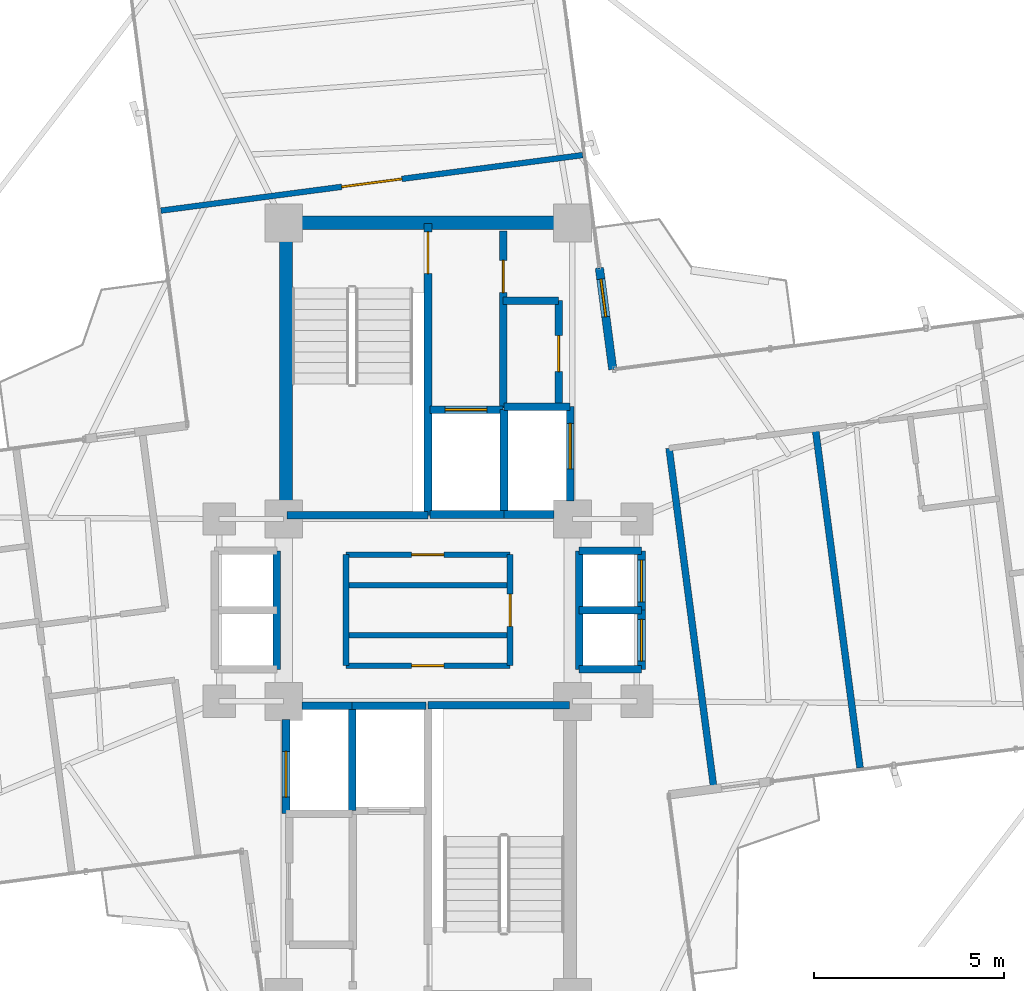
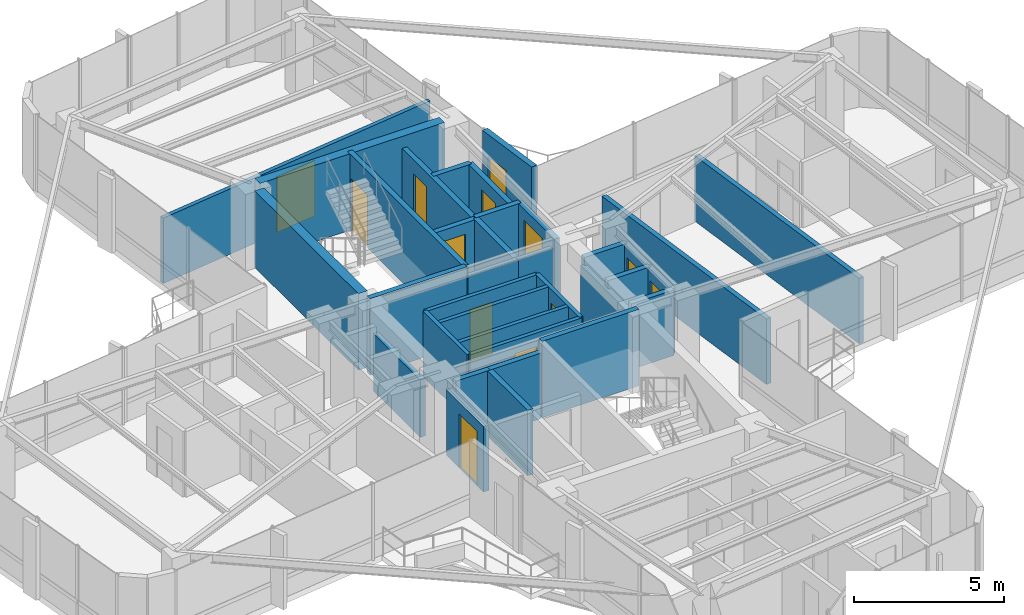
# One storey, part 19 of 21: 35 walls, 13 doors, 13 openings.
"""IFC4 building model written with IfcOpenShell, lengths in metres."""

from ifc_helpers import new_model, si_unit, direction, frame, frame_2d, origin, origin_2d, place, context, subcontext, project, spatial, rectangle, extrude, source, transform, mapped, material, layer, layer_set, type_object, element, fill, save


model = new_model("IFC4")

# Units and contexts
model_context = context("Model", 3, precision=1e-05, world=origin(), true_north=direction((0.0, 1.0)))
body_context = subcontext(model_context, "Body", "Model", "MODEL_VIEW")
ifc_project = project(units=[si_unit("LENGTHUNIT", "METRE"), si_unit("AREAUNIT", "SQUARE_METRE"), si_unit("VOLUMEUNIT", "CUBIC_METRE"), si_unit("PLANEANGLEUNIT", "RADIAN"), si_unit("MASSUNIT", "GRAM", prefix="KILO")], contexts=[model_context])

# Site, building, storey
site_placement = place(None, origin())
site = spatial("IfcSite", under=ifc_project, at=site_placement, CompositionType="ELEMENT")
building_placement = place(site_placement, origin())
building = spatial("IfcBuilding", under=site, at=building_placement, Name="Sahyath Konkavel Grand Hotel", CompositionType="ELEMENT")
storey_placement = place(building_placement, frame((0.0, 0.0, 216.550048828125)))
storey = spatial("IfcBuildingStorey", under=building, at=storey_placement, Name="L60", CompositionType="ELEMENT", Elevation=216.550048828125)

# Walls
ifc_material_1 = material(Name="Concrete C40/50", Category="concrete")
ifc_layer_1 = layer(ifc_material_1, 0.35009765625)
ifc_layer_set_1 = layer_set([ifc_layer_1], Name="Concrete C40/50")
wall_type_1 = type_object("IfcWallType", Name="CWALL-350", PredefinedType="SHEAR", material=ifc_layer_set_1)
wall_1_placement = place(storey_placement, frame((-3.550048828125, 10.199951171875, 0.0), z_axis=(0.0, 0.0, 1.0), x_axis=(1.0, 0.0, 0.0)))
element("IfcWall", 1, at=wall_1_placement, inside=storey, type_object=wall_type_1, Name="L60 North Core Shear Wall N", PredefinedType="SHEAR", context=body_context, shape_type="SweptSolid", body=[
    extrude(rectangle(XDim=7.10009765625, YDim=0.35009765625, at=frame_2d((3.550048828125, 0.0))), origin(), (0.0, 0.0, 1.0), 3.10986328125),
])
wall_2_placement = place(storey_placement, frame((-3.739990234375, 2.85009765625, 0.0), z_axis=(0.0, 0.0, 1.0), x_axis=(0.0, 1.0, 0.0)))
element("IfcWall", 2, at=wall_2_placement, inside=storey, type_object=wall_type_1, Name="L60 North Core Shear Wall W", PredefinedType="SHEAR", context=body_context, shape_type="SweptSolid", body=[
    extrude(rectangle(XDim=6.89990234375, YDim=0.35009765625, at=frame_2d((3.449951171875, 0.0))), origin(), (0.0, 0.0, 1.0), 3.10986328125),
])

# Wall, opening, door
ifc_material_2 = material(Name="Warm Buff Sandstone Insulated Concrete C40/50", Category="masonry")
ifc_layer_2 = layer(ifc_material_2, 0.219970703125)
ifc_layer_set_2 = layer_set([ifc_layer_2], Name="Warm Buff Sandstone Insulated Concrete C40/50")
wall_type_2 = type_object("IfcWallType", Name="WLL-BALC-THRESH", PredefinedType="STANDARD", material=ifc_layer_set_2)
wall_3_placement = place(storey_placement, frame((4.8642578125, 6.339111328125, 0.0), z_axis=(0.0, 0.0, 1.0), x_axis=(-0.130564442062, 0.991439824936, 0.0)))
wall_3 = element("IfcWall", 3, at=wall_3_placement, inside=storey, type_object=wall_type_2, Name="L60 Winter-Garden Threshold Wall 8", PredefinedType="STANDARD", context=body_context, shape_type="SweptSolid", body=[
    extrude(rectangle(XDim=2.7001953125, YDim=0.219970703125, at=frame_2d((1.35009765625, 0.0))), origin(), (0.0, 0.0, 1.0), 3.10986328125),
])
opening_1_placement = place(wall_3_placement, frame((1.39990234375, 0.0, 0.0)))
opening_1 = element("IfcOpeningElement", 4, at=opening_1_placement, cuts=wall_3, Name="Opening D-TR1", PredefinedType="OPENING", context=body_context, shape_type="SweptSolid", body=[
    extrude(rectangle(XDim=1.0, YDim=2.199951171875, at=frame_2d((0.5, 1.10009765625))), frame((0.0, 0.1201171875, 0.0), z_axis=(0.0, -1.0, 0.0), x_axis=(1.0, 0.0, 0.0)), (0.0, 0.0, 1.0), 0.239990234375),
])
ifc_material_3 = material(Name="Anodised Bronze Aluminium & Low-E Glazing", Category="aluminium")
door_type_1 = type_object("IfcDoorType", Name="DR-TERRACE-1000", OperationType="NOTDEFINED", PredefinedType="DOOR", material=ifc_material_3)
shared_shape_1 = source(origin(), body_context, "Body", "SweptSolid", [
    extrude(rectangle(XDim=1.0, YDim=0.050048828125, at=origin_2d()), origin(), (0.0, 0.0, 1.0), 2.199951171875),
])
door_1_placement = place(opening_1_placement, frame((0.5, 0.0, 0.0)))
door_1 = element("IfcDoor", 5, at=door_1_placement, inside=storey, type_object=door_type_1, Name="L60 Winter-Garden Terrace Door 8", OperationType="SINGLE_SWING_LEFT", OverallHeight=2.199951171875, OverallWidth=1.0, PredefinedType="DOOR", context=body_context, shape_type="MappedRepresentation", body=[
    mapped(shared_shape_1, transform((0.0, 0.0, 0.0), scale=1.0)),
])
fill(opening_1, door_1)

ifc_layer_3 = layer(ifc_material_1, 0.199951171875)
ifc_layer_set_3 = layer_set([ifc_layer_3], Name="Concrete C40/50")
wall_type_3 = type_object("IfcWallType", Name="WLL-CORE-200", PredefinedType="SOLIDWALL", material=ifc_layer_set_3)
wall_4_placement = place(storey_placement, frame((0.0, 2.5, 0.0), z_axis=(0.0, 0.0, 1.0), x_axis=(0.0, 1.0, 0.0)))
wall_4 = element("IfcWall", 6, at=wall_4_placement, inside=storey, type_object=wall_type_3, Name="L60 Stair ST-1 Shaft Wall E", PredefinedType="SOLIDWALL", context=body_context, shape_type="SweptSolid", body=[
    extrude(rectangle(XDim=7.679931640625, YDim=0.199951171875, at=frame_2d((3.83984375, 0.0))), origin(), (0.0, 0.0, 1.0), 3.10986328125),
])
opening_2_placement = place(wall_4_placement, frame((6.360107421875, 0.0, 0.0)))
opening_2 = element("IfcOpeningElement", 7, at=opening_2_placement, cuts=wall_4, Name="Opening D-F12B", PredefinedType="OPENING", context=body_context, shape_type="SweptSolid", body=[
    extrude(rectangle(XDim=1.10009765625, YDim=2.14990234375, at=frame_2d((0.550048828125, 1.074951171875))), frame((0.0, 0.10986328125, 0.0), z_axis=(0.0, -1.0, 0.0), x_axis=(1.0, 0.0, 0.0)), (0.0, 0.0, 1.0), 0.219970703125),
])
ifc_material_4 = material(Name="Steel E350 Smokeproof Fire Door", Category="steel")
door_type_2 = type_object("IfcDoorType", Name="DR-FD120-1100", OperationType="NOTDEFINED", PredefinedType="DOOR", material=ifc_material_4)
shared_shape_2 = source(origin(), body_context, "Body", "SweptSolid", [
    extrude(rectangle(XDim=1.10009765625, YDim=0.050048828125, at=origin_2d()), origin(), (0.0, 0.0, 1.0), 2.14990234375),
])
door_2_placement = place(opening_2_placement, frame((0.550048828125, 0.0, 0.0)))
door_2 = element("IfcDoor", 8, at=door_2_placement, inside=storey, type_object=door_type_2, Name="L60 Stair ST-1 Fire Door", OperationType="SINGLE_SWING_RIGHT", OverallHeight=2.14990234375, OverallWidth=1.10009765625, PredefinedType="DOOR", context=body_context, shape_type="MappedRepresentation", body=[
    mapped(shared_shape_2, transform((0.0, 0.0, 0.0), scale=1.0)),
])
fill(opening_2, door_2)

# Walls
for number, where, z_axis, x_axis, name in (
    (9, (-3.719970703125, 2.5, 0.0), (0.0, 0.0, 1.0), (1.0, 0.0, 0.0), "L60 Stair ST-1 Shaft Wall S"),
    (10, (0.0, -2.5, 0.0), (0.0, 0.0, 1.0), (1.0, 0.0, 0.0), "L60 Stair ST-2 Shaft Wall N"),
):
    element("IfcWall", number, at=place(storey_placement, frame(where, z_axis=z_axis, x_axis=x_axis)), inside=storey, type_object=wall_type_3, Name=name, PredefinedType="SOLIDWALL", context=body_context, shape_type="SweptSolid", body=[
        extrude(rectangle(XDim=3.719970703125, YDim=0.199951171875, at=frame_2d((1.85986328125, 0.0))), origin(), (0.0, 0.0, 1.0), 3.10986328125),
    ])

# Wall, opening, door
wall_5_placement = place(storey_placement, frame((1.97998046875, 5.320068359375, 0.0), z_axis=(0.0, 0.0, 1.0), x_axis=(0.0, 1.0, 0.0)))
wall_5 = element("IfcWall", 11, at=wall_5_placement, inside=storey, type_object=wall_type_3, Name="L60 North Firefighting Lobby Wall E", PredefinedType="SOLIDWALL", context=body_context, shape_type="SweptSolid", body=[
    extrude(rectangle(XDim=4.659912109375, YDim=0.199951171875, at=frame_2d((2.330078125, 0.0))), origin(), (0.0, 0.0, 1.0), 2.659912109375),
])
opening_3_placement = place(wall_5_placement, frame((3.0400390625, 0.0, 0.0)))
opening_3 = element("IfcOpeningElement", 12, at=opening_3_placement, cuts=wall_5, Name="Opening D-F12D", PredefinedType="OPENING", context=body_context, shape_type="SweptSolid", body=[
    extrude(rectangle(XDim=0.85009765625, YDim=2.10009765625, at=frame_2d((0.425048828125, 1.050048828125))), frame((0.0, 0.10986328125, 0.0), z_axis=(0.0, -1.0, 0.0), x_axis=(1.0, 0.0, 0.0)), (0.0, 0.0, 1.0), 0.219970703125),
])
ifc_material_5 = material(Name="Steel E350 Core Fire Door", Category="steel")
door_type_3 = type_object("IfcDoorType", Name="DR-FD120-850", OperationType="NOTDEFINED", PredefinedType="DOOR", material=ifc_material_5)
shared_shape_3 = source(origin(), body_context, "Body", "SweptSolid", [
    extrude(rectangle(XDim=0.85009765625, YDim=0.050048828125, at=origin_2d()), origin(), (0.0, 0.0, 1.0), 2.10009765625),
])
door_3_placement = place(opening_3_placement, frame((0.425048828125, 0.0, 0.0)))
door_3 = element("IfcDoor", 13, at=door_3_placement, inside=storey, type_object=door_type_3, Name="L60 North Firefighting Lobby Door", OperationType="SINGLE_SWING_RIGHT", OverallHeight=2.10009765625, OverallWidth=0.85009765625, PredefinedType="DOOR", context=body_context, shape_type="MappedRepresentation", body=[
    mapped(shared_shape_3, transform((0.0, 0.0, 0.0), scale=1.0)),
])
fill(opening_3, door_3)

# Walls
wall_6_placement = place(storey_placement, frame((2.0, 2.5, 0.0), z_axis=(0.0, 0.0, 1.0), x_axis=(0.0, 1.0, 0.0)))
element("IfcWall", 14, at=wall_6_placement, inside=storey, type_object=wall_type_3, Name="L60 Partition SH-FFL1-E", PredefinedType="SOLIDWALL", context=body_context, shape_type="SweptSolid", body=[
    extrude(rectangle(XDim=2.780029296875, YDim=0.199951171875, at=frame_2d((1.39013671875, 0.0))), origin(), (0.0, 0.0, 1.0), 2.659912109375),
])
wall_7_placement = place(storey_placement, frame((0.050048828125, 2.52001953125, 0.0), z_axis=(0.0, 0.0, 1.0), x_axis=(1.0, 0.0, 0.0)))
element("IfcWall", 15, at=wall_7_placement, inside=storey, type_object=wall_type_3, Name="L60 Partition SH-FFL1-S", PredefinedType="SOLIDWALL", context=body_context, shape_type="SweptSolid", body=[
    extrude(rectangle(XDim=1.949951171875, YDim=0.199951171875, at=frame_2d((0.97509765625, 0.0))), origin(), (0.0, 0.0, 1.0), 2.659912109375),
])

# Wall, opening, door
wall_8_placement = place(storey_placement, frame((0.050048828125, 5.280029296875, 0.0), z_axis=(0.0, 0.0, 1.0), x_axis=(1.0, 0.0, 0.0)))
wall_8 = element("IfcWall", 16, at=wall_8_placement, inside=storey, type_object=wall_type_3, Name="L60 Partition SH-FFL1-N", PredefinedType="SOLIDWALL", context=body_context, shape_type="SweptSolid", body=[
    extrude(rectangle(XDim=1.929931640625, YDim=0.199951171875, at=frame_2d((0.96484375, 0.0))), origin(), (0.0, 0.0, 1.0), 2.659912109375),
])
opening_4_placement = place(wall_8_placement, frame((0.39990234375, 0.0, 0.0)))
opening_4 = element("IfcOpeningElement", 17, at=opening_4_placement, cuts=wall_8, Name="Opening LD-11", PredefinedType="OPENING", context=body_context, shape_type="SweptSolid", body=[
    extrude(rectangle(XDim=1.10009765625, YDim=2.199951171875, at=frame_2d((0.550048828125, 1.10009765625))), frame((0.0, 0.10986328125, 0.0), z_axis=(0.0, -1.0, 0.0), x_axis=(1.0, 0.0, 0.0)), (0.0, 0.0, 1.0), 0.219970703125),
])
ifc_material_6 = material(Name="Bronze Lift Landing Door 1100")
door_type_4 = type_object("IfcDoorType", Name="DR-LIFT-1100", OperationType="DOUBLE_DOOR_SLIDING", PredefinedType="DOOR", material=ifc_material_6)
shared_shape_4 = source(origin(), body_context, "Body", "SweptSolid", [
    extrude(rectangle(XDim=1.10009765625, YDim=0.050048828125, at=origin_2d()), origin(), (0.0, 0.0, 1.0), 2.199951171875),
])
door_4_placement = place(opening_4_placement, frame((0.550048828125, 0.0, 0.0)))
door_4 = element("IfcDoor", 18, at=door_4_placement, inside=storey, type_object=door_type_4, Name="L60 Lift FFL-1 Landing Door", OperationType="DOUBLE_DOOR_SLIDING", OverallHeight=2.199951171875, OverallWidth=1.10009765625, PredefinedType="DOOR", context=body_context, shape_type="MappedRepresentation", body=[
    mapped(shared_shape_4, transform((0.0, 0.0, 0.0), scale=1.0)),
])
fill(opening_4, door_4)

# Walls
wall_9_placement = place(storey_placement, frame((-2.0, -5.280029296875, 0.0), z_axis=(0.0, 0.0, 1.0), x_axis=(0.0, 1.0, 0.0)))
element("IfcWall", 19, at=wall_9_placement, inside=storey, type_object=wall_type_3, Name="L60 Partition SH-FFL2-W", PredefinedType="SOLIDWALL", context=body_context, shape_type="SweptSolid", body=[
    extrude(rectangle(XDim=2.780029296875, YDim=0.199951171875, at=frame_2d((1.39013671875, 0.0))), origin(), (0.0, 0.0, 1.0), 2.659912109375),
])
wall_10_placement = place(storey_placement, frame((-2.0, -2.52001953125, 0.0), z_axis=(0.0, 0.0, 1.0), x_axis=(1.0, 0.0, 0.0)))
element("IfcWall", 20, at=wall_10_placement, inside=storey, type_object=wall_type_3, Name="L60 Partition SH-FFL2-N", PredefinedType="SOLIDWALL", context=body_context, shape_type="SweptSolid", body=[
    extrude(rectangle(XDim=1.949951171875, YDim=0.199951171875, at=frame_2d((0.97509765625, 0.0))), origin(), (0.0, 0.0, 1.0), 2.659912109375),
])
wall_11_placement = place(storey_placement, frame((2.0, 2.52001953125, 0.0), z_axis=(0.0, 0.0, 1.0), x_axis=(1.0, 0.0, 0.0)))
element("IfcWall", 21, at=wall_11_placement, inside=storey, type_object=wall_type_3, Name="L60 Partition SH-SVL1-S", PredefinedType="SOLIDWALL", context=body_context, shape_type="SweptSolid", body=[
    extrude(rectangle(XDim=1.320068359375, YDim=0.199951171875, at=frame_2d((0.66015625, 0.0))), origin(), (0.0, 0.0, 1.0), 2.659912109375),
])
wall_12_placement = place(storey_placement, frame((2.0, 5.360107421875, 0.0), z_axis=(0.0, 0.0, 1.0), x_axis=(1.0, 0.0, 0.0)))
element("IfcWall", 22, at=wall_12_placement, inside=storey, type_object=wall_type_3, Name="L60 Partition SH-SVL1-N", PredefinedType="SOLIDWALL", context=body_context, shape_type="SweptSolid", body=[
    extrude(rectangle(XDim=1.739990234375, YDim=0.199951171875, at=frame_2d((0.8701171875, 0.0))), origin(), (0.0, 0.0, 1.0), 2.659912109375),
])

# Wall, opening, door
wall_13_placement = place(storey_placement, frame((3.739990234375, 2.8798828125, 0.0), z_axis=(0.0, 0.0, 1.0), x_axis=(0.0, 1.0, 0.0)))
wall_13 = element("IfcWall", 23, at=wall_13_placement, inside=storey, type_object=wall_type_3, Name="L60 Partition SH-SVL1-E", PredefinedType="SOLIDWALL", context=body_context, shape_type="SweptSolid", body=[
    extrude(rectangle(XDim=2.480224609375, YDim=0.199951171875, at=frame_2d((1.240234375, 0.0))), origin(), (0.0, 0.0, 1.0), 2.659912109375),
])
opening_5_placement = place(wall_13_placement, frame((0.840087890625, 0.0, 0.0)))
opening_5 = element("IfcOpeningElement", 24, at=opening_5_placement, cuts=wall_13, Name="Opening LD-12", PredefinedType="OPENING", context=body_context, shape_type="SweptSolid", body=[
    extrude(rectangle(XDim=1.199951171875, YDim=2.199951171875, at=frame_2d((0.60009765625, 1.10009765625))), frame((0.0, 0.10986328125, 0.0), z_axis=(0.0, -1.0, 0.0), x_axis=(1.0, 0.0, 0.0)), (0.0, 0.0, 1.0), 0.219970703125),
])
ifc_material_7 = material(Name="Stainless Steel Lift Landing Door 1200", Category="steel")
door_type_5 = type_object("IfcDoorType", Name="DR-LIFT-1200", OperationType="DOUBLE_DOOR_SLIDING", PredefinedType="DOOR", material=ifc_material_7)
shared_shape_5 = source(origin(), body_context, "Body", "SweptSolid", [
    extrude(rectangle(XDim=1.199951171875, YDim=0.050048828125, at=origin_2d()), origin(), (0.0, 0.0, 1.0), 2.199951171875),
])
door_5_placement = place(opening_5_placement, frame((0.60009765625, 0.0, 0.0)))
door_5 = element("IfcDoor", 25, at=door_5_placement, inside=storey, type_object=door_type_5, Name="L60 Service Lift SVL-1 Landing Door", OperationType="DOUBLE_DOOR_SLIDING", OverallHeight=2.199951171875, OverallWidth=1.199951171875, PredefinedType="DOOR", context=body_context, shape_type="MappedRepresentation", body=[
    mapped(shared_shape_5, transform((0.0, 0.0, 0.0), scale=1.0)),
])
fill(opening_5, door_5)

# Wall
wall_14_placement = place(storey_placement, frame((-3.320068359375, -2.52001953125, 0.0), z_axis=(0.0, 0.0, 1.0), x_axis=(1.0, 0.0, 0.0)))
element("IfcWall", 26, at=wall_14_placement, inside=storey, type_object=wall_type_3, Name="L60 Partition SH-SVL2-N", PredefinedType="SOLIDWALL", context=body_context, shape_type="SweptSolid", body=[
    extrude(rectangle(XDim=1.320068359375, YDim=0.199951171875, at=frame_2d((0.66015625, 0.0))), origin(), (0.0, 0.0, 1.0), 2.659912109375),
])

# Wall, opening, door
wall_15_placement = place(storey_placement, frame((-3.739990234375, -5.360107421875, 0.0), z_axis=(0.0, 0.0, 1.0), x_axis=(0.0, 1.0, 0.0)))
wall_15 = element("IfcWall", 27, at=wall_15_placement, inside=storey, type_object=wall_type_3, Name="L60 Partition SH-SVL2-W", PredefinedType="SOLIDWALL", context=body_context, shape_type="SweptSolid", body=[
    extrude(rectangle(XDim=2.480224609375, YDim=0.199951171875, at=frame_2d((1.240234375, 0.0))), origin(), (0.0, 0.0, 1.0), 2.659912109375),
])
opening_6_placement = place(wall_15_placement, frame((0.43994140625, 0.0, 0.0)))
opening_6 = element("IfcOpeningElement", 28, at=opening_6_placement, cuts=wall_15, Name="Opening LD-12", PredefinedType="OPENING", context=body_context, shape_type="SweptSolid", body=[
    extrude(rectangle(XDim=1.199951171875, YDim=2.199951171875, at=frame_2d((0.60009765625, 1.10009765625))), frame((0.0, 0.10986328125, 0.0), z_axis=(0.0, -1.0, 0.0), x_axis=(1.0, 0.0, 0.0)), (0.0, 0.0, 1.0), 0.219970703125),
])
door_6_placement = place(opening_6_placement, frame((0.60009765625, 0.0, 0.0)))
door_6 = element("IfcDoor", 29, at=door_6_placement, inside=storey, type_object=door_type_5, Name="L60 Service Lift SVL-2 Landing Door", OperationType="DOUBLE_DOOR_SLIDING", OverallHeight=2.199951171875, OverallWidth=1.199951171875, PredefinedType="DOOR", context=body_context, shape_type="MappedRepresentation", body=[
    mapped(shared_shape_5, transform((0.0, 0.0, 0.0), scale=1.0)),
])
fill(opening_6, door_6)

# Walls
wall_16_placement = place(storey_placement, frame((3.97998046875, -1.56005859375, 0.0), z_axis=(0.0, 0.0, 1.0), x_axis=(0.0, 1.0, 0.0)))
element("IfcWall", 30, at=wall_16_placement, inside=storey, type_object=wall_type_3, Name="L60 Partition SH-PL56-W", PredefinedType="SOLIDWALL", context=body_context, shape_type="SweptSolid", body=[
    extrude(rectangle(XDim=3.1201171875, YDim=0.199951171875, at=frame_2d((1.56005859375, 0.0))), origin(), (0.0, 0.0, 1.0), 2.329833984375),
])
for number, where, z_axis, x_axis, name in (
    (31, (3.97998046875, 1.56005859375, 0.0), (0.0, 0.0, 1.0), (1.0, 0.0, 0.0), "L60 Partition SH-PL56-N"),
    (32, (3.97998046875, -1.56005859375, 0.0), (0.0, 0.0, 1.0), (1.0, 0.0, 0.0), "L60 Partition SH-PL56-S"),
    (33, (3.97998046875, 0.0, 0.0), (0.0, 0.0, 1.0), (1.0, 0.0, 0.0), "L60 Partition SH-PL56-M"),
):
    element("IfcWall", number, at=place(storey_placement, frame(where, z_axis=z_axis, x_axis=x_axis)), inside=storey, type_object=wall_type_3, Name=name, PredefinedType="SOLIDWALL", context=body_context, shape_type="SweptSolid", body=[
        extrude(rectangle(XDim=1.64013671875, YDim=0.199951171875, at=frame_2d((0.820068359375, 0.0))), origin(), (0.0, 0.0, 1.0), 2.659912109375),
    ])

# Wall, opening, door
wall_17_placement = place(storey_placement, frame((5.6201171875, 0.0, 0.0), z_axis=(0.0, 0.0, 1.0), x_axis=(0.0, 1.0, 0.0)))
wall_17 = element("IfcWall", 34, at=wall_17_placement, inside=storey, type_object=wall_type_3, Name="L60 Partition SH-PL5-E", PredefinedType="SOLIDWALL", context=body_context, shape_type="SweptSolid", body=[
    extrude(rectangle(XDim=1.56005859375, YDim=0.199951171875, at=frame_2d((0.780029296875, 0.0))), origin(), (0.0, 0.0, 1.0), 2.659912109375),
])
opening_7_placement = place(wall_17_placement, frame((0.219970703125, 0.0, 0.0)))
opening_7 = element("IfcOpeningElement", 35, at=opening_7_placement, cuts=wall_17, Name="Opening LD-11", PredefinedType="OPENING", context=body_context, shape_type="SweptSolid", body=[
    extrude(rectangle(XDim=1.10009765625, YDim=2.199951171875, at=frame_2d((0.550048828125, 1.10009765625))), frame((0.0, 0.10986328125, 0.0), z_axis=(0.0, -1.0, 0.0), x_axis=(1.0, 0.0, 0.0)), (0.0, 0.0, 1.0), 0.219970703125),
])
door_7_placement = place(opening_7_placement, frame((0.550048828125, 0.0, 0.0)))
door_7 = element("IfcDoor", 36, at=door_7_placement, inside=storey, type_object=door_type_4, Name="L60 High-Rise Lift PL-5 Landing Door", OperationType="DOUBLE_DOOR_SLIDING", OverallHeight=2.199951171875, OverallWidth=1.10009765625, PredefinedType="DOOR", context=body_context, shape_type="MappedRepresentation", body=[
    mapped(shared_shape_4, transform((0.0, 0.0, 0.0), scale=1.0)),
])
fill(opening_7, door_7)

wall_18_placement = place(storey_placement, frame((5.6201171875, -1.56005859375, 0.0), z_axis=(0.0, 0.0, 1.0), x_axis=(0.0, 1.0, 0.0)))
wall_18 = element("IfcWall", 37, at=wall_18_placement, inside=storey, type_object=wall_type_3, Name="L60 Partition SH-PL6-E", PredefinedType="SOLIDWALL", context=body_context, shape_type="SweptSolid", body=[
    extrude(rectangle(XDim=1.56005859375, YDim=0.199951171875, at=frame_2d((0.780029296875, 0.0))), origin(), (0.0, 0.0, 1.0), 2.659912109375),
])
opening_8_placement = place(wall_18_placement, frame((0.219970703125, 0.0, 0.0)))
opening_8 = element("IfcOpeningElement", 38, at=opening_8_placement, cuts=wall_18, Name="Opening LD-11", PredefinedType="OPENING", context=body_context, shape_type="SweptSolid", body=[
    extrude(rectangle(XDim=1.10009765625, YDim=2.199951171875, at=frame_2d((0.550048828125, 1.10009765625))), frame((0.0, 0.10986328125, 0.0), z_axis=(0.0, -1.0, 0.0), x_axis=(1.0, 0.0, 0.0)), (0.0, 0.0, 1.0), 0.219970703125),
])
door_8_placement = place(opening_8_placement, frame((0.550048828125, 0.0, 0.0)))
door_8 = element("IfcDoor", 39, at=door_8_placement, inside=storey, type_object=door_type_4, Name="L60 High-Rise Lift PL-6 Landing Door", OperationType="DOUBLE_DOOR_SLIDING", OverallHeight=2.199951171875, OverallWidth=1.10009765625, PredefinedType="DOOR", context=body_context, shape_type="MappedRepresentation", body=[
    mapped(shared_shape_4, transform((0.0, 0.0, 0.0), scale=1.0)),
])
fill(opening_8, door_8)

# Wall
wall_19_placement = place(storey_placement, frame((-3.97998046875, -1.56005859375, 0.0), z_axis=(0.0, 0.0, 1.0), x_axis=(0.0, 1.0, 0.0)))
element("IfcWall", 40, at=wall_19_placement, inside=storey, type_object=wall_type_3, Name="L60 Partition SH-SL12-E", PredefinedType="SOLIDWALL", context=body_context, shape_type="SweptSolid", body=[
    extrude(rectangle(XDim=3.1201171875, YDim=0.199951171875, at=frame_2d((1.56005859375, 0.0))), origin(), (0.0, 0.0, 1.0), 2.329833984375),
])

# Wall, opening, door
wall_20_placement = place(storey_placement, frame((3.43994140625, 5.3798828125, 0.0), z_axis=(0.0, 0.0, 1.0), x_axis=(0.0, 1.0, 0.0)))
wall_20 = element("IfcWall", 41, at=wall_20_placement, inside=storey, type_object=wall_type_3, Name="L60 Reclaimed North Core Wall E", PredefinedType="SOLIDWALL", context=body_context, shape_type="SweptSolid", body=[
    extrude(rectangle(XDim=2.77001953125, YDim=0.199951171875, at=frame_2d((1.385009765625, 0.0))), origin(), (0.0, 0.0, 1.0), 2.659912109375),
])
opening_9_placement = place(wall_20_placement, frame((0.89990234375, 0.0, 0.0)))
opening_9 = element("IfcOpeningElement", 42, at=opening_9_placement, cuts=wall_20, Name="Opening D-F06B", PredefinedType="OPENING", context=body_context, shape_type="SweptSolid", body=[
    extrude(rectangle(XDim=0.949951171875, YDim=2.14990234375, at=frame_2d((0.47509765625, 1.074951171875))), frame((0.0, 0.10986328125, 0.0), z_axis=(0.0, -1.0, 0.0), x_axis=(1.0, 0.0, 0.0)), (0.0, 0.0, 1.0), 0.219970703125),
])
ifc_material_8 = material(Name="Teak Veneer Fire-Rated Guest Entrance Door")
door_type_6 = type_object("IfcDoorType", Name="DR-FD60-950", OperationType="NOTDEFINED", PredefinedType="DOOR", material=ifc_material_8)
shared_shape_6 = source(origin(), body_context, "Body", "SweptSolid", [
    extrude(rectangle(XDim=0.949951171875, YDim=0.050048828125, at=origin_2d()), origin(), (0.0, 0.0, 1.0), 2.14990234375),
])
door_9_placement = place(opening_9_placement, frame((0.47509765625, 0.0, 0.0)))
door_9 = element("IfcDoor", 43, at=door_9_placement, inside=storey, type_object=door_type_6, Name="L60 Door NC-REC1-D", OperationType="SINGLE_SWING_RIGHT", OverallHeight=2.14990234375, OverallWidth=0.949951171875, PredefinedType="DOOR", context=body_context, shape_type="MappedRepresentation", body=[
    mapped(shared_shape_6, transform((0.0, 0.0, 0.0), scale=1.0)),
])
fill(opening_9, door_9)

# Walls
wall_21_placement = place(storey_placement, frame((1.97998046875, 8.14990234375, 0.0), z_axis=(0.0, 0.0, 1.0), x_axis=(1.0, 0.0, 0.0)))
element("IfcWall", 44, at=wall_21_placement, inside=storey, type_object=wall_type_3, Name="L60 Partition NC-REC-N", PredefinedType="SOLIDWALL", context=body_context, shape_type="SweptSolid", body=[
    extrude(rectangle(XDim=1.4599609375, YDim=0.199951171875, at=frame_2d((0.72998046875, 0.0))), origin(), (0.0, 0.0, 1.0), 2.659912109375),
])
ifc_material_9 = material(Name="Twin-Stud Acoustic Gypsum Plasterboard Partition")
ifc_layer_4 = layer(ifc_material_9, 0.179931640625)
ifc_layer_set_4 = layer_set([ifc_layer_4], Name="Twin-Stud Acoustic Gypsum Plasterboard Partition")
wall_type_4 = type_object("IfcWallType", Name="WLL-DEMISE-180", PredefinedType="PARTITIONING", material=ifc_layer_set_4)
wall_22_placement = place(storey_placement, frame((7.522216796875, -4.657958984375, 0.0), z_axis=(0.0, 0.0, 1.0), x_axis=(-0.130509247021, 0.991447092104, 0.0)))
element("IfcWall", 45, at=wall_22_placement, inside=storey, type_object=wall_type_4, Name="L60 Partition E-G5I", PredefinedType="PARTITIONING", context=body_context, shape_type="SweptSolid", body=[
    extrude(rectangle(XDim=8.999755859375, YDim=0.179931640625, at=frame_2d((4.5, 0.0))), origin(), (0.0, 0.0, 1.0), 2.659912109375),
])
wall_23_placement = place(storey_placement, frame((10.201416015625, 4.7724609375, 0.0), z_axis=(0.0, 0.0, 1.0), x_axis=(0.130532401413, -0.991444043898, 0.0)))
element("IfcWall", 46, at=wall_23_placement, inside=storey, type_object=wall_type_4, Name="L60 Partition E-ED1-DEM", PredefinedType="PARTITIONING", context=body_context, shape_type="SweptSolid", body=[
    extrude(rectangle(XDim=9.0, YDim=0.179931640625, at=frame_2d((4.5, 0.0))), origin(), (0.0, 0.0, 1.0), 2.659912109375),
])

# Wall, opening, door
ifc_material_10 = material(Name="Fire-Rated Gypsum Plasterboard Partition")
ifc_layer_5 = layer(ifc_material_10, 0.14990234375)
ifc_layer_set_5 = layer_set([ifc_layer_5], Name="Fire-Rated Gypsum Plasterboard Partition")
wall_type_5 = type_object("IfcWallType", Name="WLL-PART-150", PredefinedType="PARTITIONING", material=ifc_layer_set_5)
wall_24_placement = place(storey_placement, frame((2.159912109375, -1.4599609375, 0.0), z_axis=(0.0, 0.0, 1.0), x_axis=(0.0, 1.0, 0.0)))
wall_24 = element("IfcWall", 47, at=wall_24_placement, inside=storey, type_object=wall_type_5, Name="L60 Partition CC-2E", PredefinedType="PARTITIONING", context=body_context, shape_type="SweptSolid", body=[
    extrude(rectangle(XDim=2.919921875, YDim=0.14990234375, at=frame_2d((1.4599609375, 0.0))), origin(), (0.0, 0.0, 1.0), 2.659912109375),
])
opening_10_placement = place(wall_24_placement, frame((1.034912109375, 0.0, 0.0)))
opening_10 = element("IfcOpeningElement", 48, at=opening_10_placement, cuts=wall_24, Name="Opening D-F06D", PredefinedType="OPENING", context=body_context, shape_type="SweptSolid", body=[
    extrude(rectangle(XDim=0.85009765625, YDim=2.10009765625, at=frame_2d((0.425048828125, 1.050048828125))), frame((0.0, 0.0849609375, 0.0), z_axis=(0.0, -1.0, 0.0), x_axis=(1.0, 0.0, 0.0)), (0.0, 0.0, 1.0), 0.169921875),
])
ifc_material_11 = material(Name="Fire-Rated Shaft Access Door")
door_type_7 = type_object("IfcDoorType", Name="DR-FD60-850", OperationType="NOTDEFINED", PredefinedType="DOOR", material=ifc_material_11)
door_10_placement = place(opening_10_placement, frame((0.425048828125, 0.0, 0.0)))
door_10 = element("IfcDoor", 49, at=door_10_placement, inside=storey, type_object=door_type_7, Name="L60 Door CC-D2B", OperationType="SINGLE_SWING_LEFT", OverallHeight=2.10009765625, OverallWidth=0.85009765625, PredefinedType="DOOR", context=body_context, shape_type="MappedRepresentation", body=[
    mapped(shared_shape_3, transform((0.0, 0.0, 0.0), scale=1.0)),
])
fill(opening_10, door_10)

# Wall
wall_25_placement = place(storey_placement, frame((-2.159912109375, -1.4599609375, 0.0), z_axis=(0.0, 0.0, 1.0), x_axis=(0.0, 1.0, 0.0)))
element("IfcWall", 50, at=wall_25_placement, inside=storey, type_object=wall_type_5, Name="L60 Partition CC-2W", PredefinedType="PARTITIONING", context=body_context, shape_type="SweptSolid", body=[
    extrude(rectangle(XDim=2.919921875, YDim=0.14990234375, at=frame_2d((1.4599609375, 0.0))), origin(), (0.0, 0.0, 1.0), 2.659912109375),
])

# Wall, opening, door
wall_26_placement = place(storey_placement, frame((-2.159912109375, 1.4599609375, 0.0), z_axis=(0.0, 0.0, 1.0), x_axis=(1.0, 0.0, 0.0)))
wall_26 = element("IfcWall", 51, at=wall_26_placement, inside=storey, type_object=wall_type_5, Name="L60 Partition CC-2N", PredefinedType="PARTITIONING", context=body_context, shape_type="SweptSolid", body=[
    extrude(rectangle(XDim=4.31982421875, YDim=0.14990234375, at=frame_2d((2.159912109375, 0.0))), origin(), (0.0, 0.0, 1.0), 2.659912109375),
])
opening_11_placement = place(wall_26_placement, frame((1.72998046875, 0.0, 0.0)))
opening_11 = element("IfcOpeningElement", 52, at=opening_11_placement, cuts=wall_26, Name="Opening D-F06D", PredefinedType="OPENING", context=body_context, shape_type="SweptSolid", body=[
    extrude(rectangle(XDim=0.85009765625, YDim=2.10009765625, at=frame_2d((0.425048828125, 1.050048828125))), frame((0.0, 0.0849609375, 0.0), z_axis=(0.0, -1.0, 0.0), x_axis=(1.0, 0.0, 0.0)), (0.0, 0.0, 1.0), 0.169921875),
])
door_11_placement = place(opening_11_placement, frame((0.425048828125, 0.0, 0.0)))
door_11 = element("IfcDoor", 53, at=door_11_placement, inside=storey, type_object=door_type_7, Name="L60 Door CC-D2A", OperationType="SINGLE_SWING_RIGHT", OverallHeight=2.10009765625, OverallWidth=0.85009765625, PredefinedType="DOOR", context=body_context, shape_type="MappedRepresentation", body=[
    mapped(shared_shape_3, transform((0.0, 0.0, 0.0), scale=1.0)),
])
fill(opening_11, door_11)

wall_27_placement = place(storey_placement, frame((-2.159912109375, -1.4599609375, 0.0), z_axis=(0.0, 0.0, 1.0), x_axis=(1.0, 0.0, 0.0)))
wall_27 = element("IfcWall", 54, at=wall_27_placement, inside=storey, type_object=wall_type_5, Name="L60 Partition CC-2S", PredefinedType="PARTITIONING", context=body_context, shape_type="SweptSolid", body=[
    extrude(rectangle(XDim=4.31982421875, YDim=0.14990234375, at=frame_2d((2.159912109375, 0.0))), origin(), (0.0, 0.0, 1.0), 2.659912109375),
])
opening_12_placement = place(wall_27_placement, frame((1.72998046875, 0.0, 0.0)))
opening_12 = element("IfcOpeningElement", 55, at=opening_12_placement, cuts=wall_27, Name="Opening D-F06D", PredefinedType="OPENING", context=body_context, shape_type="SweptSolid", body=[
    extrude(rectangle(XDim=0.85009765625, YDim=2.10009765625, at=frame_2d((0.425048828125, 1.050048828125))), frame((0.0, 0.0849609375, 0.0), z_axis=(0.0, -1.0, 0.0), x_axis=(1.0, 0.0, 0.0)), (0.0, 0.0, 1.0), 0.169921875),
])
door_12_placement = place(opening_12_placement, frame((0.425048828125, 0.0, 0.0)))
door_12 = element("IfcDoor", 56, at=door_12_placement, inside=storey, type_object=door_type_7, Name="L60 Door CC-D2C", OperationType="SINGLE_SWING_RIGHT", OverallHeight=2.10009765625, OverallWidth=0.85009765625, PredefinedType="DOOR", context=body_context, shape_type="MappedRepresentation", body=[
    mapped(shared_shape_3, transform((0.0, 0.0, 0.0), scale=1.0)),
])
fill(opening_12, door_12)

# Walls
for number, where, z_axis, x_axis, name in (
    (57, (-2.159912109375, 0.659912109375, 0.0), (0.0, 0.0, 1.0), (1.0, 0.0, 0.0), "L60 Partition CC-2M1"),
    (58, (-2.159912109375, -0.659912109375, 0.0), (0.0, 0.0, 1.0), (1.0, 0.0, 0.0), "L60 Partition CC-2M2"),
):
    element("IfcWall", number, at=place(storey_placement, frame(where, z_axis=z_axis, x_axis=x_axis)), inside=storey, type_object=wall_type_5, Name=name, PredefinedType="PARTITIONING", context=body_context, shape_type="SweptSolid", body=[
        extrude(rectangle(XDim=4.31982421875, YDim=0.14990234375, at=frame_2d((2.159912109375, 0.0))), origin(), (0.0, 0.0, 1.0), 2.659912109375),
    ])

# Wall, opening, door
wall_28_placement = place(storey_placement, frame((4.070556640625, 11.98388671875, 0.0), z_axis=(0.0, 0.0, 1.0), x_axis=(-0.991444721874, -0.130527251821, 0.0)))
wall_28 = element("IfcWall", 59, at=wall_28_placement, inside=storey, type_object=wall_type_5, Name="L60 Partition N-SAL-IN", PredefinedType="PARTITIONING", context=body_context, shape_type="SweptSolid", body=[
    extrude(rectangle(XDim=11.199951171875, YDim=0.14990234375, at=frame_2d((5.60009765625, 0.0))), origin(), (0.0, 0.0, 1.0), 2.659912109375),
])
opening_13_placement = place(wall_28_placement, frame((4.800048828125, 0.0, 0.0)))
opening_13 = element("IfcOpeningElement", 60, at=opening_13_placement, cuts=wall_28, Name="Opening D-DB16", PredefinedType="OPENING", context=body_context, shape_type="SweptSolid", body=[
    extrude(rectangle(XDim=1.60009765625, YDim=2.25, at=frame_2d((0.800048828125, 1.125))), frame((0.0, 0.0849609375, 0.0), z_axis=(0.0, -1.0, 0.0), x_axis=(1.0, 0.0, 0.0)), (0.0, 0.0, 1.0), 0.169921875),
])
ifc_material_12 = material(Name="Double Leaf Lounge Glazed Timber Door", Category="wood")
door_type_8 = type_object("IfcDoorType", Name="DR-DBL-1600", OperationType="DOUBLE_DOOR_SINGLE_SWING", PredefinedType="DOOR", material=ifc_material_12)
shared_shape_7 = source(origin(), body_context, "Body", "SweptSolid", [
    extrude(rectangle(XDim=1.60009765625, YDim=0.050048828125, at=origin_2d()), origin(), (0.0, 0.0, 1.0), 2.25),
])
door_13_placement = place(opening_13_placement, frame((0.800048828125, 0.0, 0.0)))
door_13 = element("IfcDoor", 61, at=door_13_placement, inside=storey, type_object=door_type_8, Name="L60 Door N-SAL-D", OperationType="DOUBLE_DOOR_SINGLE_SWING", OverallHeight=2.25, OverallWidth=1.60009765625, PredefinedType="DOOR", context=body_context, shape_type="MappedRepresentation", body=[
    mapped(shared_shape_7, transform((0.0, 0.0, 0.0), scale=1.0)),
])
fill(opening_13, door_13)

save(model, "model.ifc")
